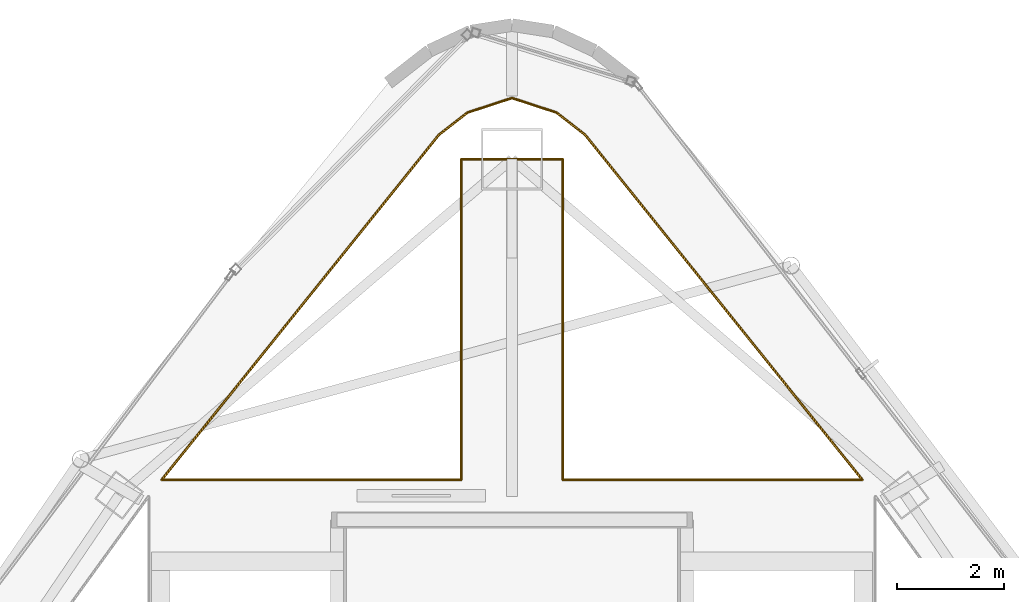
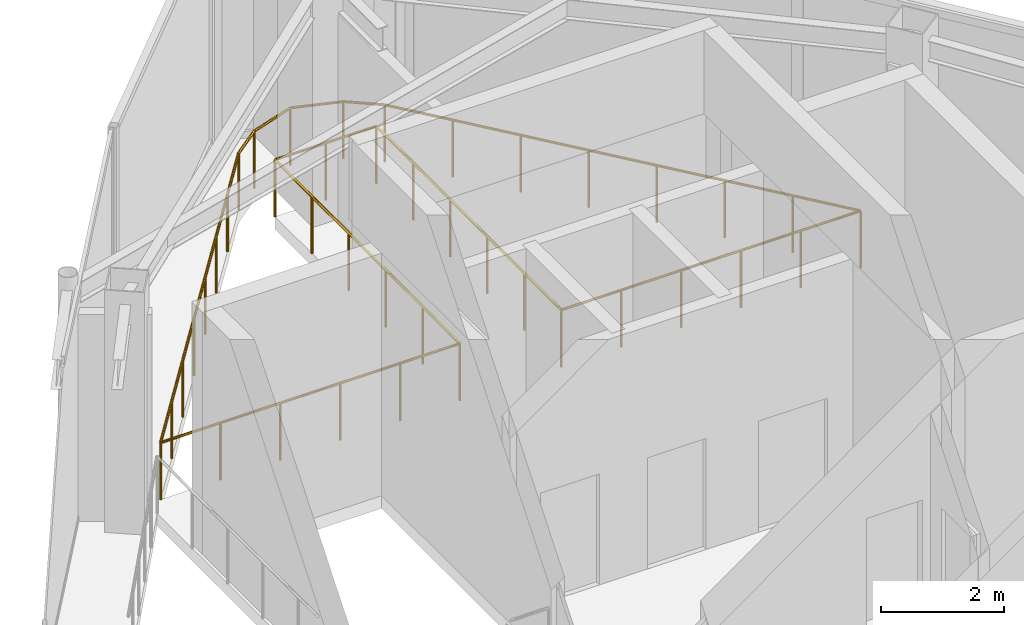
# One storey, part 18 of 18: 1 railing.
"""IFC4 building model written with IfcOpenShell, lengths in metres."""

import ifcopenshell
import ifcopenshell.guid

model = None  # the IFC model being written
_history = None  # IfcOwnerHistory: only IFC2X3 demands one
_inside = {}  # id of a spatial element -> (the spatial element, [elements in it])
_under = {}  # id of a project, library or spatial element -> (it, [spatial elements below it])
_declared = {}  # id of a project -> (the project, [libraries it declares])
_typed = {}  # id of a type object -> (the type object, [elements of that type])
_made_of = {}  # id of a material, layer set ... -> (it, [elements and type objects made of it])


def new_model(schema):
    """Start an empty IFC model of exactly this schema.

    Asked for "IFC4X3", IfcOpenShell would pick the latest addendum, in which some entities
    have other attributes; the version numbers below select the first issue.
    IFC2X3 requires an IfcOwnerHistory on every rooted entity: one is made here for all.
    """
    global model, _history
    if schema == "IFC4X3":
        model = ifcopenshell.file(schema_version=(4, 3, 0, 0))
    else:
        model = ifcopenshell.file(schema=schema)
    _inside.clear()
    _under.clear()
    _declared.clear()
    _typed.clear()
    _made_of.clear()
    _history = None
    if model.schema == "IFC2X3":
        org = make("IfcOrganization", Name="unknown")
        user = make(
            "IfcPersonAndOrganization",
            ThePerson=make("IfcPerson", FamilyName="unknown"),
            TheOrganization=org,
        )
        app = make(
            "IfcApplication",
            ApplicationDeveloper=org,
            Version="unknown",
            ApplicationFullName="unknown",
            ApplicationIdentifier="unknown",
        )
        _history = make(
            "IfcOwnerHistory",
            OwningUser=user,
            OwningApplication=app,
            ChangeAction="ADDED",
            CreationDate=0,
        )
    return model


def make(cls, **values):
    """One entity of the class cls with the attributes given. An attribute that is None is left unset."""
    return model.create_entity(
        cls, **{name: value for name, value in values.items() if value is not None}
    )


def rooted(cls, **values):
    """An entity with a GlobalId (a new one), such as an element, a storey or a relation."""
    return make(cls, GlobalId=ifcopenshell.guid.new(), OwnerHistory=_history, **values)


def si_unit(unit_type, name, prefix=None):
    """IfcSIUnit, for example si_unit("LENGTHUNIT", "METRE", prefix="MILLI")."""
    return make("IfcSIUnit", UnitType=unit_type, Prefix=prefix, Name=name)


def assignment(units):
    """IfcUnitAssignment: the units of a project."""
    return None if units is None else make("IfcUnitAssignment", Units=units)


def point(xyz):
    """IfcCartesianPoint."""
    return None if xyz is None else make("IfcCartesianPoint", Coordinates=xyz)


def direction(xyz):
    """IfcDirection."""
    return None if xyz is None else make("IfcDirection", DirectionRatios=xyz)


def frame(location, z_axis=None, x_axis=None):
    """IfcAxis2Placement3D, a coordinate frame: its origin and axes. An axis left out is left unset."""
    return make(
        "IfcAxis2Placement3D",
        Location=point(location),
        Axis=direction(z_axis),
        RefDirection=direction(x_axis),
    )


def frame_2d(location, x_axis=None):
    """IfcAxis2Placement2D, a coordinate frame in the plane: its origin and x axis."""
    return make(
        "IfcAxis2Placement2D", Location=point(location), RefDirection=direction(x_axis)
    )


def origin():
    """The frame at (0, 0, 0) with its axes left unset."""
    return frame((0.0, 0.0, 0.0))


def origin_2d():
    """The frame at (0, 0) in the plane with its x axis left unset."""
    return frame_2d((0.0, 0.0))


def place(relative_to, where):
    """IfcLocalPlacement: puts the frame where relative to a parent placement (None: the world)."""
    return make(
        "IfcLocalPlacement", PlacementRelTo=relative_to, RelativePlacement=where
    )


def context(
    kind, dimensions, precision=None, world=None, true_north=None, identifier=None
):
    """IfcGeometricRepresentationContext, for example the 3D "Model" context."""
    return make(
        "IfcGeometricRepresentationContext",
        ContextIdentifier=identifier,
        ContextType=kind,
        CoordinateSpaceDimension=dimensions,
        Precision=precision,
        WorldCoordinateSystem=world,
        TrueNorth=true_north,
    )


def subcontext(parent, identifier, kind, view, scale=None):
    """IfcGeometricRepresentationSubContext, for example "Body" below "Model"."""
    return make(
        "IfcGeometricRepresentationSubContext",
        ContextIdentifier=identifier,
        ContextType=kind,
        ParentContext=parent,
        TargetScale=scale,
        TargetView=view,
    )


def project(units=None, contexts=None):
    """IfcProject with its units and contexts."""
    return rooted(
        "IfcProject",
        Name="project",
        RepresentationContexts=contexts,
        UnitsInContext=assignment(units),
    )


def spatial(cls, under=None, at=None, **own):
    """A site, building, storey or space (cls), placed at a placement, below another one or the project."""
    s = rooted(cls, ObjectPlacement=at, **own)
    if under is not None:
        _under.setdefault(under.id(), (under, []))[1].append(s)
    return s


def profile(cls, at=None, kind="AREA", **sizes):
    """A parametric profile (cls). Its sizes go by their IFC names, for example OverallWidth=200.0."""
    return make(cls, ProfileType=kind, Position=at, **sizes)


def circle(**sizes):
    """IfcCircleProfileDef."""
    return profile("IfcCircleProfileDef", **sizes)


def extrude(swept, where, along, depth):
    """IfcExtrudedAreaSolid: the profile swept, set in the frame where, extruded along a direction by depth."""
    return make(
        "IfcExtrudedAreaSolid",
        SweptArea=swept,
        Position=where,
        ExtrudedDirection=direction(along),
        Depth=depth,
    )


def shape(context_of_items, identifier, shape_type, items):
    """IfcShapeRepresentation: the items that make up one representation, for example the "Body"."""
    return make(
        "IfcShapeRepresentation",
        ContextOfItems=context_of_items,
        RepresentationIdentifier=identifier,
        RepresentationType=shape_type,
        Items=items,
    )


def material(Name=None, Category=None):
    """IfcMaterial."""
    return make("IfcMaterial", Name=Name, Category=Category)


def made_of(thing, what):
    """Note that an element or type object is made of a material, layer set ...; save() writes the relation."""
    if what is not None:
        _made_of.setdefault(what.id(), (what, []))[1].append(thing)
    return thing


def type_object(cls, material=None, **own):
    """A type object (cls), such as IfcWallType, which elements share."""
    return made_of(rooted(cls, **own), material)


def element(
    cls,
    number,
    at=None,
    inside=None,
    cuts=None,
    type_object=None,
    material=None,
    context=None,
    identifier="Body",
    shape_type=None,
    held_by="IfcProductDefinitionShape",
    body=None,
    shapes=None,
    **own,
):
    """One element of the class cls, such as IfcWall. Its Tag is "e" and its number.

    at: its placement. inside: the storey or other place that contains it. cuts: it is an
    opening in that element (IfcRelVoidsElement). A single representation is given by context,
    identifier, shape_type and body (its items); several are given by shapes. held_by: the class
    of the entity that holds the representations. save() writes the other relations.
    """
    e = rooted(cls, Tag="e%d" % number, ObjectPlacement=at, **own)
    if body is not None:
        shapes = [shape(context, identifier, shape_type, body)]
    if shapes is not None:
        e.Representation = make(held_by, Representations=shapes)
    if inside is not None:
        _inside.setdefault(inside.id(), (inside, []))[1].append(e)
    if cuts is not None:
        rooted(
            "IfcRelVoidsElement", RelatingBuildingElement=cuts, RelatedOpeningElement=e
        )
    if type_object is not None:
        _typed.setdefault(type_object.id(), (type_object, []))[1].append(e)
    return made_of(e, material)


def aggregate(whole, parts):
    """IfcRelAggregates: a whole, such as a stair, and the parts it consists of."""
    return rooted("IfcRelAggregates", RelatingObject=whole, RelatedObjects=parts)


def save(model, path):
    """Write the relations noted so far, then the file.

    IfcRelAggregates (storeys below a building ...), IfcRelContainedInSpatialStructure (elements
    in a storey), IfcRelDefinesByType, IfcRelAssociatesMaterial and IfcRelDeclares: one each for
    every whole, place, type object, material and project.
    """
    for whole, parts in _under.values():
        aggregate(whole, parts)
    for where, things in _inside.values():
        rooted(
            "IfcRelContainedInSpatialStructure",
            RelatedElements=things,
            RelatingStructure=where,
        )
    for kind, things in _typed.values():
        rooted("IfcRelDefinesByType", RelatedObjects=things, RelatingType=kind)
    for what, things in _made_of.values():
        rooted("IfcRelAssociatesMaterial", RelatedObjects=things, RelatingMaterial=what)
    for by, libraries in _declared.values():
        rooted("IfcRelDeclares", RelatingContext=by, RelatedDefinitions=libraries)
    model.write(path)


model = new_model("IFC4")

# Units and contexts
model_context = context("Model", 3, precision=1e-05, world=origin(), true_north=direction((0.0, 1.0)))
body_context = subcontext(model_context, "Body", "Model", "MODEL_VIEW")
ifc_project = project(units=[si_unit("LENGTHUNIT", "METRE"), si_unit("AREAUNIT", "SQUARE_METRE"), si_unit("VOLUMEUNIT", "CUBIC_METRE"), si_unit("PLANEANGLEUNIT", "RADIAN"), si_unit("MASSUNIT", "GRAM", prefix="KILO")], contexts=[model_context])

# Site, building, storey
site_placement = place(None, origin())
site = spatial("IfcSite", under=ifc_project, at=site_placement, CompositionType="ELEMENT")
building_placement = place(site_placement, origin())
building = spatial("IfcBuilding", under=site, at=building_placement, Name="Orvanel Arch Residences", CompositionType="ELEMENT")
storey_placement = place(building_placement, frame((0.0, 0.0, 310.10009765625)))
storey = spatial("IfcBuildingStorey", under=building, at=storey_placement, Name="L86", CompositionType="ELEMENT", Elevation=310.10009765625)

# Railing
ifc_material = material(Name="Bronze-anodised aluminium AA6063-T6", Category="aluminium")
railing_type = type_object("IfcRailingType", Name="RL-ATR-1150", PredefinedType="BALUSTRADE", material=ifc_material)
railing_placement = place(storey_placement, frame((39.554931640625, 35.39990234375, 0.0)))
element("IfcRailing", 1, at=railing_placement, inside=storey, type_object=railing_type, Name="L86 Crown Conservatory Void 1 Balustrade", PredefinedType="BALUSTRADE", context=body_context, shape_type="SweptSolid", body=[
    extrude(circle(Radius=0.02392578125, at=origin_2d()), frame((-0.00146484375, 0.0, 1.1259765625), z_axis=(-1.0, 0.0, 0.0), x_axis=(0.0, -1.0, 0.0)), (0.0, 0.0, 1.0), 5.60205078125),
    extrude(circle(Radius=0.02392578125, at=origin_2d()), frame((-5.60498046875, 0.00146484375, 1.1259765625), z_axis=(0.0, 1.0, 0.0), x_axis=(-1.0, 0.0, 0.0)), (0.0, 0.0, 1.0), 5.9951171875),
    extrude(circle(Radius=0.02392578125, at=origin_2d()), frame((-5.6064453125, 5.998046875, 1.1259765625), z_axis=(-1.0, 0.0, 0.0), x_axis=(0.0, -1.0, 0.0)), (0.0, 0.0, 1.0), 1.89697265625),
    extrude(circle(Radius=0.02392578125, at=origin_2d()), frame((-7.5048828125, 5.99658203125, 1.1259765625), z_axis=(0.0, -1.0, 0.0), x_axis=(1.0, 0.0, 0.0)), (0.0, 0.0, 1.0), 5.9951171875),
    extrude(circle(Radius=0.02392578125, at=origin_2d()), frame((-7.50634765625, 0.0, 1.1259765625), z_axis=(-1.0, 0.0, 0.0), x_axis=(0.0, -1.0, 0.0)), (0.0, 0.0, 1.0), 5.60205078125),
    extrude(circle(Radius=0.02392578125, at=origin_2d()), frame((-13.10888671875, 0.001220703125, 1.1259765625), z_axis=(0.626455081924, 0.779457523109, 0.0), x_axis=(-0.779457523109, 0.626455081924, 0.0)), (0.0, 0.0, 1.0), 8.278564453125),
    extrude(circle(Radius=0.02392578125, at=origin_2d()), frame((-7.920654296875, 6.4560546875, 1.1259765625), z_axis=(0.788982312602, 0.614415909951, 0.0), x_axis=(-0.614415909951, 0.788982312602, 0.0)), (0.0, 0.0, 1.0), 0.672607421875),
    extrude(circle(Radius=0.02392578125, at=origin_2d()), frame((-7.387451171875, 6.87060546875, 1.1259765625), z_axis=(0.950394138298, 0.311048198658, 0.0), x_axis=(-0.311048198658, 0.950394138298, 0.0)), (0.0, 0.0, 1.0), 0.87451171875),
    extrude(circle(Radius=0.02392578125, at=origin_2d()), frame((-6.553466796875, 7.142578125, 1.1259765625), z_axis=(0.950394138298, -0.311048198658, 0.0), x_axis=(0.311048198658, 0.950394138298, 0.0)), (0.0, 0.0, 1.0), 0.87451171875),
    extrude(circle(Radius=0.02392578125, at=origin_2d()), frame((-5.7197265625, 6.869140625, 1.1259765625), z_axis=(0.788982312602, -0.614415909951, 0.0), x_axis=(0.614415909951, 0.788982312602, 0.0)), (0.0, 0.0, 1.0), 0.672607421875),
    extrude(circle(Radius=0.02392578125, at=origin_2d()), frame((-5.18701171875, 6.453857421875, 1.1259765625), z_axis=(0.626455081924, -0.779457523109, 0.0), x_axis=(0.779457523109, 0.626455081924, 0.0)), (0.0, 0.0, 1.0), 8.278564453125),
    extrude(circle(Radius=0.02099609375, at=origin_2d()), origin(), (0.0, 0.0, 1.0), 1.099853515625),
    extrude(circle(Radius=0.02099609375, at=origin_2d()), frame((-1.12109375, 0.0, 0.0)), (0.0, 0.0, 1.0), 1.099853515625),
    extrude(circle(Radius=0.02099609375, at=origin_2d()), frame((-2.241943359375, 0.0, 0.0)), (0.0, 0.0, 1.0), 1.099853515625),
    extrude(circle(Radius=0.02099609375, at=origin_2d()), frame((-3.363037109375, 0.0, 0.0)), (0.0, 0.0, 1.0), 1.099853515625),
    extrude(circle(Radius=0.02099609375, at=origin_2d()), frame((-4.48388671875, 0.0, 0.0)), (0.0, 0.0, 1.0), 1.099853515625),
    extrude(circle(Radius=0.02099609375, at=origin_2d()), frame((-5.60498046875, 0.0, 0.0)), (0.0, 0.0, 1.0), 1.099853515625),
    extrude(circle(Radius=0.02099609375, at=origin_2d()), frame((-5.60498046875, 1.19970703125, 0.0)), (0.0, 0.0, 1.0), 1.099853515625),
    extrude(circle(Radius=0.02099609375, at=origin_2d()), frame((-5.60498046875, 2.399169921875, 0.0)), (0.0, 0.0, 1.0), 1.099853515625),
    extrude(circle(Radius=0.02099609375, at=origin_2d()), frame((-5.60498046875, 3.598876953125, 0.0)), (0.0, 0.0, 1.0), 1.099853515625),
    extrude(circle(Radius=0.02099609375, at=origin_2d()), frame((-5.60498046875, 4.79833984375, 0.0)), (0.0, 0.0, 1.0), 1.099853515625),
    extrude(circle(Radius=0.02099609375, at=origin_2d()), frame((-5.60498046875, 5.998046875, 0.0)), (0.0, 0.0, 1.0), 1.099853515625),
    extrude(circle(Radius=0.02099609375, at=origin_2d()), frame((-6.554931640625, 5.998046875, 0.0)), (0.0, 0.0, 1.0), 1.099853515625),
    extrude(circle(Radius=0.02099609375, at=origin_2d()), frame((-7.5048828125, 5.998046875, 0.0)), (0.0, 0.0, 1.0), 1.099853515625),
    extrude(circle(Radius=0.02099609375, at=origin_2d()), frame((-7.5048828125, 4.79833984375, 0.0)), (0.0, 0.0, 1.0), 1.099853515625),
    extrude(circle(Radius=0.02099609375, at=origin_2d()), frame((-7.5048828125, 3.598876953125, 0.0)), (0.0, 0.0, 1.0), 1.099853515625),
    extrude(circle(Radius=0.02099609375, at=origin_2d()), frame((-7.5048828125, 2.399169921875, 0.0)), (0.0, 0.0, 1.0), 1.099853515625),
    extrude(circle(Radius=0.02099609375, at=origin_2d()), frame((-7.5048828125, 1.19970703125, 0.0)), (0.0, 0.0, 1.0), 1.099853515625),
    extrude(circle(Radius=0.02099609375, at=origin_2d()), frame((-7.5048828125, 0.0, 0.0)), (0.0, 0.0, 1.0), 1.099853515625),
    extrude(circle(Radius=0.02099609375, at=origin_2d()), frame((-8.6259765625, 0.0, 0.0)), (0.0, 0.0, 1.0), 1.099853515625),
    extrude(circle(Radius=0.02099609375, at=origin_2d()), frame((-9.746826171875, 0.0, 0.0)), (0.0, 0.0, 1.0), 1.099853515625),
    extrude(circle(Radius=0.02099609375, at=origin_2d()), frame((-10.867919921875, 0.0, 0.0)), (0.0, 0.0, 1.0), 1.099853515625),
    extrude(circle(Radius=0.02099609375, at=origin_2d()), frame((-11.98876953125, 0.0, 0.0)), (0.0, 0.0, 1.0), 1.099853515625),
    extrude(circle(Radius=0.02099609375, at=origin_2d()), frame((-13.10986328125, 0.0, 0.0)), (0.0, 0.0, 1.0), 1.099853515625),
    extrude(circle(Radius=0.02099609375, at=origin_2d()), frame((-12.36865234375, 0.922119140625, 0.0)), (0.0, 0.0, 1.0), 1.099853515625),
    extrude(circle(Radius=0.02099609375, at=origin_2d()), frame((-11.627685546875, 1.84423828125, 0.0)), (0.0, 0.0, 1.0), 1.099853515625),
    extrude(circle(Radius=0.02099609375, at=origin_2d()), frame((-10.886474609375, 2.766357421875, 0.0)), (0.0, 0.0, 1.0), 1.099853515625),
    extrude(circle(Radius=0.02099609375, at=origin_2d()), frame((-10.145263671875, 3.688720703125, 0.0)), (0.0, 0.0, 1.0), 1.099853515625),
    extrude(circle(Radius=0.02099609375, at=origin_2d()), frame((-9.404052734375, 4.61083984375, 0.0)), (0.0, 0.0, 1.0), 1.099853515625),
    extrude(circle(Radius=0.02099609375, at=origin_2d()), frame((-8.6630859375, 5.532958984375, 0.0)), (0.0, 0.0, 1.0), 1.099853515625),
    extrude(circle(Radius=0.02099609375, at=origin_2d()), frame((-7.921875, 6.455078125, 0.0)), (0.0, 0.0, 1.0), 1.099853515625),
    extrude(circle(Radius=0.02099609375, at=origin_2d()), frame((-7.388916015625, 6.8701171875, 0.0)), (0.0, 0.0, 1.0), 1.099853515625),
    extrude(circle(Radius=0.02099609375, at=origin_2d()), frame((-6.554931640625, 7.14306640625, 0.0)), (0.0, 0.0, 1.0), 1.099853515625),
    extrude(circle(Radius=0.02099609375, at=origin_2d()), frame((-5.720947265625, 6.8701171875, 0.0)), (0.0, 0.0, 1.0), 1.099853515625),
    extrude(circle(Radius=0.02099609375, at=origin_2d()), frame((-5.18798828125, 6.455078125, 0.0)), (0.0, 0.0, 1.0), 1.099853515625),
    extrude(circle(Radius=0.02099609375, at=origin_2d()), frame((-4.44677734375, 5.532958984375, 0.0)), (0.0, 0.0, 1.0), 1.099853515625),
    extrude(circle(Radius=0.02099609375, at=origin_2d()), frame((-3.705810546875, 4.61083984375, 0.0)), (0.0, 0.0, 1.0), 1.099853515625),
    extrude(circle(Radius=0.02099609375, at=origin_2d()), frame((-2.964599609375, 3.688720703125, 0.0)), (0.0, 0.0, 1.0), 1.099853515625),
    extrude(circle(Radius=0.02099609375, at=origin_2d()), frame((-2.223388671875, 2.766357421875, 0.0)), (0.0, 0.0, 1.0), 1.099853515625),
    extrude(circle(Radius=0.02099609375, at=origin_2d()), frame((-1.482177734375, 1.84423828125, 0.0)), (0.0, 0.0, 1.0), 1.099853515625),
    extrude(circle(Radius=0.02099609375, at=origin_2d()), frame((-0.7412109375, 0.922119140625, 0.0)), (0.0, 0.0, 1.0), 1.099853515625),
])

save(model, "model.ifc")
